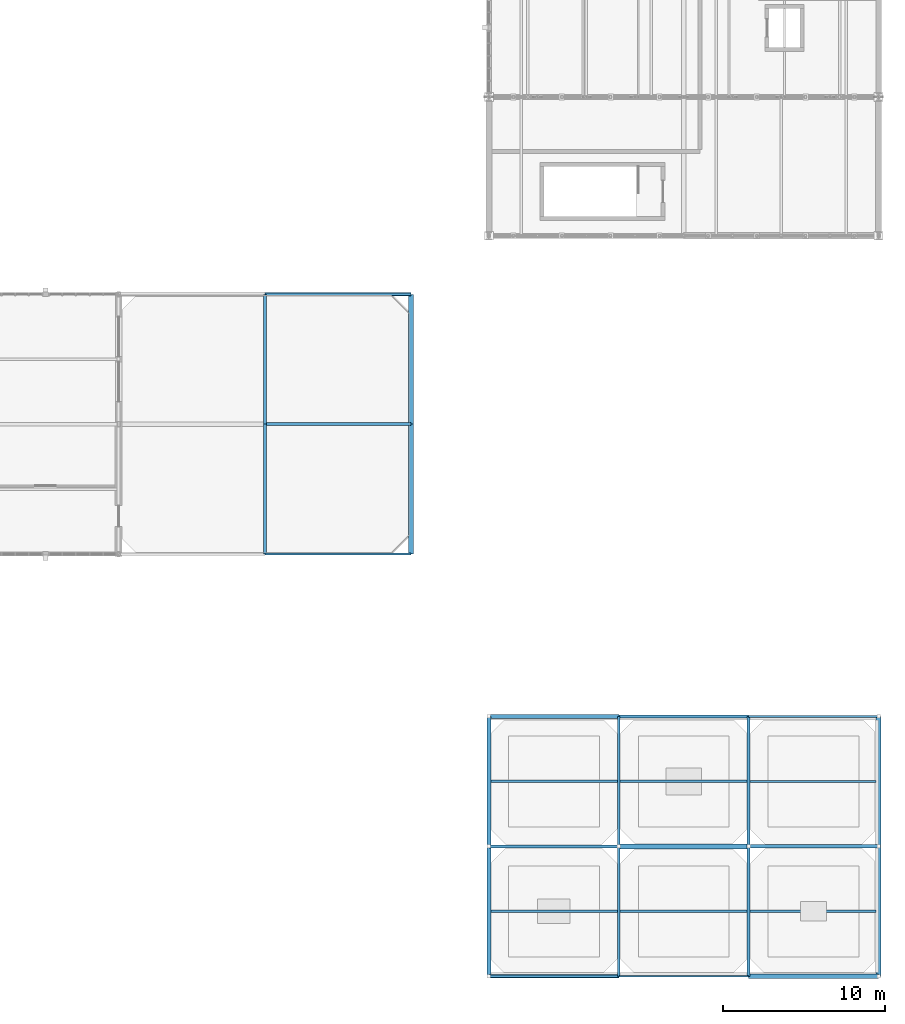
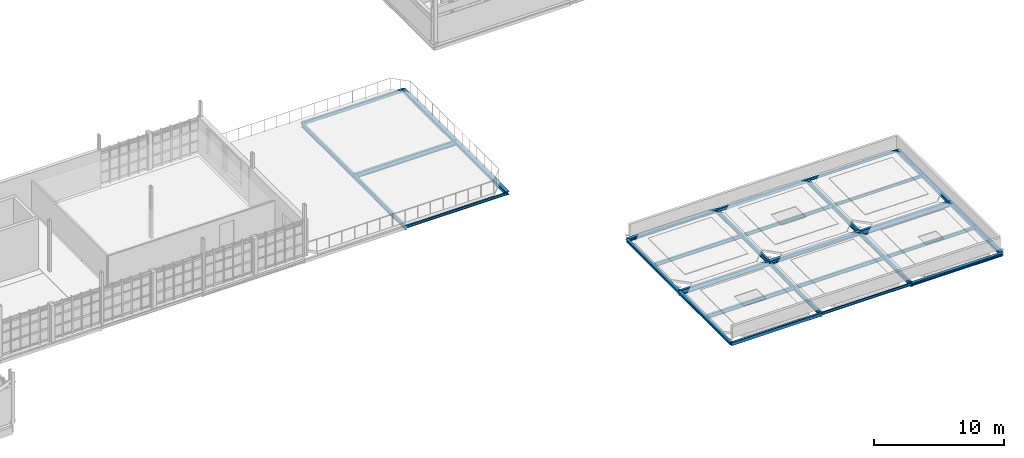
# One storey, part 30 of 128: 30 beams.
"""IFC4 building model written with IfcOpenShell, lengths in metres."""

from ifc_helpers import new_model, si_unit, direction, frame, origin, origin_2d, place, context, subcontext, project, spatial, hollow_rectangle, i_section, extrude, material, material_profile, profile_set, type_object, element, save


model = new_model("IFC4")

# Units and contexts
model_context = context("Model", 3, precision=1e-05, world=origin(), true_north=direction((0.0, 1.0)))
body_context = subcontext(model_context, "Body", "Model", "MODEL_VIEW")
ifc_project = project(units=[si_unit("LENGTHUNIT", "METRE"), si_unit("AREAUNIT", "SQUARE_METRE"), si_unit("VOLUMEUNIT", "CUBIC_METRE"), si_unit("PLANEANGLEUNIT", "RADIAN"), si_unit("MASSUNIT", "GRAM", prefix="KILO")], contexts=[model_context])

# Site, building, storey
site_placement = place(None, origin())
site = spatial("IfcSite", under=ifc_project, at=site_placement, CompositionType="ELEMENT")
building_placement = place(site_placement, origin())
building = spatial("IfcBuilding", under=site, at=building_placement, Name="Serraforn Aerial Cableway Station", CompositionType="ELEMENT")
storey_placement = place(building_placement, frame((0.0, 0.0, 9.0)))
storey = spatial("IfcBuildingStorey", under=building, at=storey_placement, Name="L02", CompositionType="ELEMENT", Elevation=9.0)

# Beams
ifc_material_1 = material(Name="Steel S355JR", Category="steel")
ifc_material_profile_1 = material_profile(ifc_material_1, i_section(OverallWidth=0.239990234375, OverallDepth=0.239990234375, WebThickness=0.007568359375, FlangeThickness=0.011962890625, FilletRadius=0.02099609375, at=origin_2d()), Name="HEA 240")
ifc_profile_set_1 = profile_set([ifc_material_profile_1], Name="Steel S355JR")
beam_type_1 = type_object("IfcBeamType", Name="BM-ST-HEA240", PredefinedType="BEAM", material=ifc_profile_set_1)
for number, where, z_axis, x_axis, name in (
    (1, (144.0, 0.0, -0.43994140625), (0.0, 1.0, 0.0), (-1.0, 0.0, 0.0), "Grid Girder Y ES L02 X1-1"),
    (2, (144.0, 8.0, -0.43994140625), (0.0, 1.0, 0.0), (-1.0, 0.0, 0.0), "Grid Girder Y ES L02 X1-2"),
):
    element("IfcBeam", number, at=place(storey_placement, frame(where, z_axis=z_axis, x_axis=x_axis)), inside=storey, type_object=beam_type_1, Name=name, PredefinedType="BEAM", context=body_context, shape_type="SweptSolid", body=[
        extrude(i_section(OverallWidth=0.239990234375, OverallDepth=0.239990234375, WebThickness=0.007568359375, FlangeThickness=0.011962890625, FilletRadius=0.02099609375, at=origin_2d()), origin(), (0.0, 0.0, 1.0), 8.0),
    ])
ifc_material_2 = material(Name="Steel S355J2", Category="steel")
ifc_material_profile_2 = material_profile(ifc_material_2, i_section(OverallWidth=0.260009765625, OverallDepth=0.260009765625, WebThickness=0.010009765625, FlangeThickness=0.017578125, FilletRadius=0.02392578125, at=origin_2d()), Name="HEB 260")
ifc_profile_set_2 = profile_set([ifc_material_profile_2], Name="Steel S355J2")
beam_type_2 = type_object("IfcBeamType", Name="BM-ST-HEB260", PredefinedType="BEAM", material=ifc_profile_set_2)
for number, where, z_axis, x_axis, name in (
    (3, (160.0, 0.0, -0.449951171875), (1.0, 0.0, 0.0), (0.0, 1.0, 0.0), "Grid Girder X ES L02 Y1-3"),
    (4, (144.0, 16.0, -0.449951171875), (1.0, 0.0, 0.0), (0.0, 1.0, 0.0), "Grid Girder X ES L02 Y3-1"),
):
    element("IfcBeam", number, at=place(storey_placement, frame(where, z_axis=z_axis, x_axis=x_axis)), inside=storey, type_object=beam_type_2, Name=name, PredefinedType="BEAM", context=body_context, shape_type="SweptSolid", body=[
        extrude(i_section(OverallWidth=0.260009765625, OverallDepth=0.260009765625, WebThickness=0.010009765625, FlangeThickness=0.017578125, FilletRadius=0.02392578125, at=origin_2d()), origin(), (0.0, 0.0, 1.0), 8.0),
    ])
ifc_material_profile_3 = material_profile(ifc_material_2, i_section(OverallWidth=0.300048828125, OverallDepth=0.300048828125, WebThickness=0.010986328125, FlangeThickness=0.01904296875, FilletRadius=0.027099609375, at=origin_2d()), Name="HEB 300")
ifc_profile_set_3 = profile_set([ifc_material_profile_3], Name="Steel S355J2")
beam_type_3 = type_object("IfcBeamType", Name="BM-ST-HEB300", PredefinedType="BEAM", material=ifc_profile_set_3)
for number, where, z_axis, x_axis, name in (
    (5, (168.0, 0.0, -0.469970703125), (0.0, 1.0, 0.0), (-1.0, 0.0, 0.0), "Grid Girder Y ES L02 X4-1"),
    (6, (168.0, 8.0, -0.469970703125), (0.0, 1.0, 0.0), (-1.0, 0.0, 0.0), "Grid Girder Y ES L02 X4-2"),
    (7, (139.199951171875, 26.0, -0.469970703125), (0.0, 1.0, 0.0), (-1.0, 0.0, 0.0), "Grid Girder Y EL L02 X6-1"),
    (8, (139.199951171875, 34.0, -0.469970703125), (0.0, 1.0, 0.0), (-1.0, 0.0, 0.0), "Grid Girder Y EL L02 X6-2"),
):
    element("IfcBeam", number, at=place(storey_placement, frame(where, z_axis=z_axis, x_axis=x_axis)), inside=storey, type_object=beam_type_3, Name=name, PredefinedType="BEAM", context=body_context, shape_type="SweptSolid", body=[
        extrude(i_section(OverallWidth=0.300048828125, OverallDepth=0.300048828125, WebThickness=0.010986328125, FlangeThickness=0.01904296875, FilletRadius=0.027099609375, at=origin_2d()), origin(), (0.0, 0.0, 1.0), 8.0),
    ])
ifc_material_profile_4 = material_profile(ifc_material_2, i_section(OverallWidth=0.300048828125, OverallDepth=0.360107421875, WebThickness=0.012451171875, FlangeThickness=0.0224609375, FilletRadius=0.027099609375, at=origin_2d()), Name="HEB 360")
ifc_profile_set_4 = profile_set([ifc_material_profile_4], Name="Steel S355J2")
beam_type_4 = type_object("IfcBeamType", Name="BM-ST-HEB360", PredefinedType="USERDEFINED", material=ifc_profile_set_4)
beam_1_placement = place(storey_placement, frame((152.0, 8.0, -0.5), z_axis=(1.0, 0.0, 0.0), x_axis=(0.0, 1.0, 0.0)))
element("IfcBeam", 9, at=beam_1_placement, inside=storey, type_object=beam_type_4, Name="Grid Girder X ES L02 Y2-2", ObjectType="GIRDER", PredefinedType="USERDEFINED", context=body_context, shape_type="SweptSolid", body=[
    extrude(i_section(OverallWidth=0.300048828125, OverallDepth=0.360107421875, WebThickness=0.012451171875, FlangeThickness=0.0224609375, FilletRadius=0.027099609375, at=origin_2d()), origin(), (0.0, 0.0, 1.0), 8.0),
])
ifc_material_profile_5 = material_profile(ifc_material_1, i_section(OverallWidth=0.1201171875, OverallDepth=0.239990234375, WebThickness=0.006103515625, FlangeThickness=0.009765625, FilletRadius=0.014892578125, at=origin_2d()), Name="IPE 240")
ifc_profile_set_5 = profile_set([ifc_material_profile_5], Name="Steel S355JR")
beam_type_5 = type_object("IfcBeamType", Name="BM-ST-IPE240", PredefinedType="SPANDREL", material=ifc_profile_set_5)
for number, where, z_axis, x_axis, name in (
    (10, (152.0, 0.0, -0.43994140625), (1.0, 0.0, 0.0), (0.0, 1.0, 0.0), "Grid Girder X ES L02 Y1-2"),
    (11, (160.0, 16.0, -0.43994140625), (1.0, 0.0, 0.0), (0.0, 1.0, 0.0), "Grid Girder X ES L02 Y3-3"),
):
    element("IfcBeam", number, at=place(storey_placement, frame(where, z_axis=z_axis, x_axis=x_axis)), inside=storey, type_object=beam_type_5, Name=name, PredefinedType="SPANDREL", context=body_context, shape_type="SweptSolid", body=[
        extrude(i_section(OverallWidth=0.1201171875, OverallDepth=0.239990234375, WebThickness=0.006103515625, FlangeThickness=0.009765625, FilletRadius=0.014892578125, at=origin_2d()), origin(), (0.0, 0.0, 1.0), 8.0),
    ])
beam_2_placement = place(storey_placement, frame((130.199951171875, 26.0, -0.43994140625), z_axis=(1.0, 0.0, 0.0), x_axis=(0.0, 1.0, 0.0)))
element("IfcBeam", 12, at=beam_2_placement, inside=storey, type_object=beam_type_5, Name="Grid Girder X EL L02 Y1-5", PredefinedType="SPANDREL", context=body_context, shape_type="SweptSolid", body=[
    extrude(i_section(OverallWidth=0.1201171875, OverallDepth=0.239990234375, WebThickness=0.006103515625, FlangeThickness=0.009765625, FilletRadius=0.014892578125, at=origin_2d()), origin(), (0.0, 0.0, 1.0), 9.0),
])
ifc_material_profile_6 = material_profile(ifc_material_1, i_section(OverallWidth=0.135009765625, OverallDepth=0.27001953125, WebThickness=0.006591796875, FlangeThickness=0.01025390625, FilletRadius=0.014892578125, at=origin_2d()), Name="IPE 270")
ifc_profile_set_6 = profile_set([ifc_material_profile_6], Name="Steel S355JR")
beam_type_6 = type_object("IfcBeamType", Name="BM-ST-IPE270", PredefinedType="JOIST", material=ifc_profile_set_6)
beam_3_placement = place(storey_placement, frame((160.090087890625, 12.0, -0.360107421875), z_axis=(1.0, 0.0, 0.0), x_axis=(0.0, 1.0, 0.0)))
element("IfcBeam", 13, at=beam_3_placement, inside=storey, type_object=beam_type_6, Name="Floor Joist ES-L02-3-2-1", PredefinedType="JOIST", context=body_context, shape_type="SweptSolid", body=[
    extrude(i_section(OverallWidth=0.135009765625, OverallDepth=0.27001953125, WebThickness=0.006591796875, FlangeThickness=0.01025390625, FilletRadius=0.014892578125, at=origin_2d()), origin(), (0.0, 0.0, 1.0), 7.760009765625),
])
ifc_material_profile_7 = material_profile(ifc_material_1, i_section(OverallWidth=0.14990234375, OverallDepth=0.300048828125, WebThickness=0.007080078125, FlangeThickness=0.0107421875, FilletRadius=0.014892578125, at=origin_2d()), Name="IPE 300")
ifc_profile_set_7 = profile_set([ifc_material_profile_7], Name="Steel S355JR")
beam_type_7 = type_object("IfcBeamType", Name="BM-ST-IPE300", PredefinedType="JOIST", material=ifc_profile_set_7)
beam_4_placement = place(storey_placement, frame((152.090087890625, 12.0, -0.375), z_axis=(1.0, 0.0, 0.0), x_axis=(0.0, 1.0, 0.0)))
element("IfcBeam", 14, at=beam_4_placement, inside=storey, type_object=beam_type_7, Name="Floor Joist ES-L02-2-2-1", PredefinedType="JOIST", context=body_context, shape_type="SweptSolid", body=[
    extrude(i_section(OverallWidth=0.14990234375, OverallDepth=0.300048828125, WebThickness=0.007080078125, FlangeThickness=0.0107421875, FilletRadius=0.014892578125, at=origin_2d()), origin(), (0.0, 0.0, 1.0), 7.81982421875),
])
beam_5_placement = place(storey_placement, frame((160.090087890625, 4.0, -0.375), z_axis=(1.0, 0.0, 0.0), x_axis=(0.0, 1.0, 0.0)))
element("IfcBeam", 15, at=beam_5_placement, inside=storey, type_object=beam_type_7, Name="Floor Joist ES-L02-3-1-1", PredefinedType="JOIST", context=body_context, shape_type="SweptSolid", body=[
    extrude(i_section(OverallWidth=0.14990234375, OverallDepth=0.300048828125, WebThickness=0.007080078125, FlangeThickness=0.0107421875, FilletRadius=0.014892578125, at=origin_2d()), origin(), (0.0, 0.0, 1.0), 7.760009765625),
])
ifc_material_profile_8 = material_profile(ifc_material_1, i_section(OverallWidth=0.159912109375, OverallDepth=0.330078125, WebThickness=0.007568359375, FlangeThickness=0.011474609375, FilletRadius=0.01806640625, at=origin_2d()), Name="IPE 330")
ifc_profile_set_8 = profile_set([ifc_material_profile_8], Name="Steel S355JR")
beam_type_8 = type_object("IfcBeamType", Name="BM-ST-IPE330", PredefinedType="JOIST", material=ifc_profile_set_8)
beam_6_placement = place(storey_placement, frame((144.1201171875, 12.0, -0.389892578125), z_axis=(1.0, 0.0, 0.0), x_axis=(0.0, 1.0, 0.0)))
element("IfcBeam", 16, at=beam_6_placement, inside=storey, type_object=beam_type_8, Name="Floor Joist ES-L02-1-2-1", PredefinedType="JOIST", context=body_context, shape_type="SweptSolid", body=[
    extrude(i_section(OverallWidth=0.159912109375, OverallDepth=0.330078125, WebThickness=0.007568359375, FlangeThickness=0.011474609375, FilletRadius=0.01806640625, at=origin_2d()), origin(), (0.0, 0.0, 1.0), 7.789794921875),
])
beam_7_placement = place(storey_placement, frame((152.090087890625, 4.0, -0.389892578125), z_axis=(1.0, 0.0, 0.0), x_axis=(0.0, 1.0, 0.0)))
element("IfcBeam", 17, at=beam_7_placement, inside=storey, type_object=beam_type_8, Name="Floor Joist ES-L02-2-1-1", PredefinedType="JOIST", context=body_context, shape_type="SweptSolid", body=[
    extrude(i_section(OverallWidth=0.159912109375, OverallDepth=0.330078125, WebThickness=0.007568359375, FlangeThickness=0.011474609375, FilletRadius=0.01806640625, at=origin_2d()), origin(), (0.0, 0.0, 1.0), 7.81982421875),
])
ifc_material_profile_9 = material_profile(ifc_material_1, i_section(OverallWidth=0.169921875, OverallDepth=0.360107421875, WebThickness=0.008056640625, FlangeThickness=0.0126953125, FilletRadius=0.01806640625, at=origin_2d()), Name="IPE 360")
ifc_profile_set_9 = profile_set([ifc_material_profile_9], Name="Steel S355JR")
beam_type_9 = type_object("IfcBeamType", Name="BM-ST-IPE360", PredefinedType="JOIST", material=ifc_profile_set_9)
beam_8_placement = place(storey_placement, frame((144.1201171875, 4.0, -0.405029296875), z_axis=(1.0, 0.0, 0.0), x_axis=(0.0, 1.0, 0.0)))
element("IfcBeam", 18, at=beam_8_placement, inside=storey, type_object=beam_type_9, Name="Floor Joist ES-L02-1-1-1", PredefinedType="JOIST", context=body_context, shape_type="SweptSolid", body=[
    extrude(i_section(OverallWidth=0.169921875, OverallDepth=0.360107421875, WebThickness=0.008056640625, FlangeThickness=0.0126953125, FilletRadius=0.01806640625, at=origin_2d()), origin(), (0.0, 0.0, 1.0), 7.789794921875),
])
ifc_material_profile_10 = material_profile(ifc_material_1, i_section(OverallWidth=0.179931640625, OverallDepth=0.39990234375, WebThickness=0.008544921875, FlangeThickness=0.013427734375, FilletRadius=0.02099609375, at=origin_2d()), Name="IPE 400")
ifc_profile_set_10 = profile_set([ifc_material_profile_10], Name="Steel S355JR")
beam_type_10 = type_object("IfcBeamType", Name="BM-ST-IPE400", PredefinedType="BEAM", material=ifc_profile_set_10)
for number, where, z_axis, x_axis, name in (
    (19, (152.0, 0.0, -0.52001953125), (0.0, 1.0, 0.0), (-1.0, 0.0, 0.0), "Grid Girder Y ES L02 X2-1"),
    (20, (152.0, 8.0, -0.52001953125), (0.0, 1.0, 0.0), (-1.0, 0.0, 0.0), "Grid Girder Y ES L02 X2-2"),
    (21, (160.0, 0.0, -0.52001953125), (0.0, 1.0, 0.0), (-1.0, 0.0, 0.0), "Grid Girder Y ES L02 X3-1"),
    (22, (160.0, 8.0, -0.52001953125), (0.0, 1.0, 0.0), (-1.0, 0.0, 0.0), "Grid Girder Y ES L02 X3-2"),
    (23, (130.199951171875, 26.0, -0.52001953125), (0.0, 1.0, 0.0), (-1.0, 0.0, 0.0), "Grid Girder Y EL L02 X5-1"),
    (24, (130.199951171875, 34.0, -0.52001953125), (0.0, 1.0, 0.0), (-1.0, 0.0, 0.0), "Grid Girder Y EL L02 X5-2"),
):
    element("IfcBeam", number, at=place(storey_placement, frame(where, z_axis=z_axis, x_axis=x_axis)), inside=storey, type_object=beam_type_10, Name=name, PredefinedType="BEAM", context=body_context, shape_type="SweptSolid", body=[
        extrude(i_section(OverallWidth=0.179931640625, OverallDepth=0.39990234375, WebThickness=0.008544921875, FlangeThickness=0.013427734375, FilletRadius=0.02099609375, at=origin_2d()), origin(), (0.0, 0.0, 1.0), 8.0),
    ])
ifc_material_profile_11 = material_profile(ifc_material_1, i_section(OverallWidth=0.18994140625, OverallDepth=0.449951171875, WebThickness=0.009521484375, FlangeThickness=0.0146484375, FilletRadius=0.02099609375, at=origin_2d()), Name="IPE 450")
ifc_profile_set_11 = profile_set([ifc_material_profile_11], Name="Steel S355JR")
beam_type_11 = type_object("IfcBeamType", Name="BM-ST-IPE450", PredefinedType="BEAM", material=ifc_profile_set_11)
beam_9_placement = place(storey_placement, frame((144.0, 8.0, -0.544921875), z_axis=(1.0, 0.0, 0.0), x_axis=(0.0, 1.0, 0.0)))
element("IfcBeam", 25, at=beam_9_placement, inside=storey, type_object=beam_type_11, Name="Grid Girder X ES L02 Y2-1", PredefinedType="BEAM", context=body_context, shape_type="SweptSolid", body=[
    extrude(i_section(OverallWidth=0.18994140625, OverallDepth=0.449951171875, WebThickness=0.009521484375, FlangeThickness=0.0146484375, FilletRadius=0.02099609375, at=origin_2d()), origin(), (0.0, 0.0, 1.0), 8.0),
])
beam_10_placement = place(storey_placement, frame((130.199951171875, 34.0, -0.544921875), z_axis=(1.0, 0.0, 0.0), x_axis=(0.0, 1.0, 0.0)))
element("IfcBeam", 26, at=beam_10_placement, inside=storey, type_object=beam_type_11, Name="Grid Girder X EL L02 Y2-5", PredefinedType="BEAM", context=body_context, shape_type="SweptSolid", body=[
    extrude(i_section(OverallWidth=0.18994140625, OverallDepth=0.449951171875, WebThickness=0.009521484375, FlangeThickness=0.0146484375, FilletRadius=0.02099609375, at=origin_2d()), origin(), (0.0, 0.0, 1.0), 9.0),
])
ifc_material_profile_12 = material_profile(ifc_material_1, i_section(OverallWidth=0.199951171875, OverallDepth=0.5, WebThickness=0.01025390625, FlangeThickness=0.01611328125, FilletRadius=0.02099609375, at=origin_2d()), Name="IPE 500")
ifc_profile_set_12 = profile_set([ifc_material_profile_12], Name="Steel S355JR")
beam_type_12 = type_object("IfcBeamType", Name="BM-ST-IPE500", PredefinedType="USERDEFINED", material=ifc_profile_set_12)
beam_11_placement = place(storey_placement, frame((160.0, 8.0, -0.570068359375), z_axis=(1.0, 0.0, 0.0), x_axis=(0.0, 1.0, 0.0)))
element("IfcBeam", 27, at=beam_11_placement, inside=storey, type_object=beam_type_12, Name="Grid Girder X ES L02 Y2-3", ObjectType="GIRDER", PredefinedType="USERDEFINED", context=body_context, shape_type="SweptSolid", body=[
    extrude(i_section(OverallWidth=0.199951171875, OverallDepth=0.5, WebThickness=0.01025390625, FlangeThickness=0.01611328125, FilletRadius=0.02099609375, at=origin_2d()), origin(), (0.0, 0.0, 1.0), 8.0),
])
ifc_material_profile_13 = material_profile(ifc_material_2, hollow_rectangle(XDim=0.199951171875, YDim=0.300048828125, WallThickness=0.012451171875, InnerFilletRadius=0.012451171875, OuterFilletRadius=0.02490234375, at=origin_2d()), Name="RHS 300x200x12.5")
ifc_profile_set_13 = profile_set([ifc_material_profile_13], Name="Steel S355J2")
beam_type_13 = type_object("IfcBeamType", Name="BM-ST-RHS300", PredefinedType="SPANDREL", material=ifc_profile_set_13)
for number, where, z_axis, x_axis, name in (
    (28, (144.0, 0.0, -0.469970703125), (1.0, 0.0, 0.0), (0.0, 1.0, 0.0), "Grid Girder X ES L02 Y1-1"),
    (29, (152.0, 16.0, -0.469970703125), (1.0, 0.0, 0.0), (0.0, 1.0, 0.0), "Grid Girder X ES L02 Y3-2"),
):
    element("IfcBeam", number, at=place(storey_placement, frame(where, z_axis=z_axis, x_axis=x_axis)), inside=storey, type_object=beam_type_13, Name=name, PredefinedType="SPANDREL", context=body_context, shape_type="SweptSolid", body=[
        extrude(hollow_rectangle(XDim=0.199951171875, YDim=0.300048828125, WallThickness=0.012451171875, InnerFilletRadius=0.012451171875, OuterFilletRadius=0.02490234375, at=origin_2d()), origin(), (0.0, 0.0, 1.0), 8.0),
    ])
beam_12_placement = place(storey_placement, frame((130.199951171875, 42.0, -0.469970703125), z_axis=(1.0, 0.0, 0.0), x_axis=(0.0, 1.0, 0.0)))
element("IfcBeam", 30, at=beam_12_placement, inside=storey, type_object=beam_type_13, Name="Grid Girder X EL L02 Y3-5", PredefinedType="SPANDREL", context=body_context, shape_type="SweptSolid", body=[
    extrude(hollow_rectangle(XDim=0.199951171875, YDim=0.300048828125, WallThickness=0.012451171875, InnerFilletRadius=0.012451171875, OuterFilletRadius=0.02490234375, at=origin_2d()), origin(), (0.0, 0.0, 1.0), 9.0),
])

save(model, "model.ifc")
